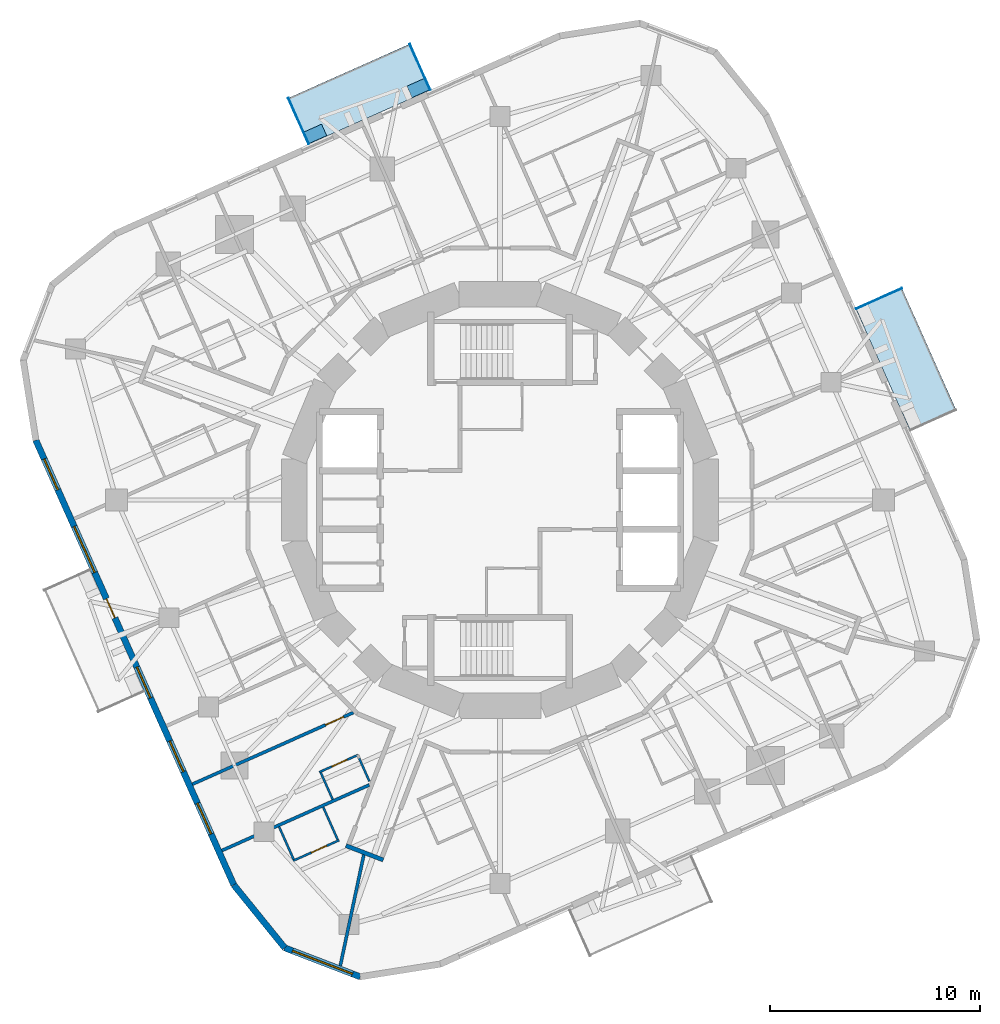
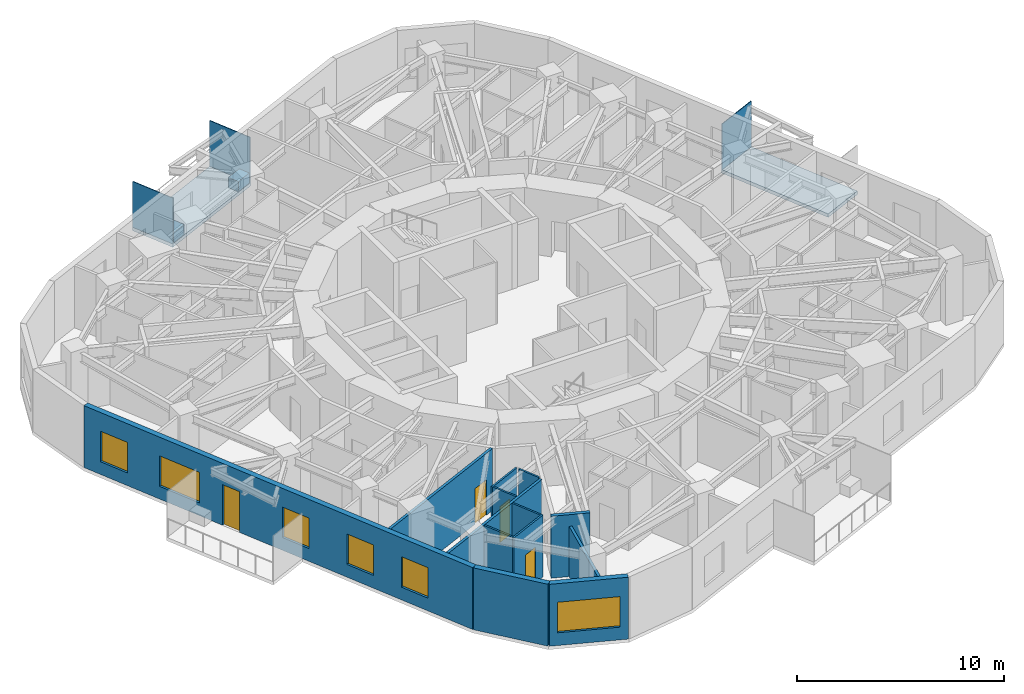
# One storey, part 4 of 12: 13 walls, 6 windows, 5 plates, 4 doors, 2 slabs, 10 openings.
"""IFC4 building model written with IfcOpenShell, lengths in metres."""

from ifc_helpers import new_model, si_unit, direction, frame, frame_2d, origin, origin_2d, place, context, subcontext, project, spatial, polyline, rectangle, outline, extrude, material, layer, layer_set, type_object, element, fill, save


model = new_model("IFC4")

# Units and contexts
model_context = context("Model", 3, precision=1e-05, world=origin(), true_north=direction((0.0, 1.0)))
body_context = subcontext(model_context, "Body", "Model", "MODEL_VIEW")
ifc_project = project(units=[si_unit("LENGTHUNIT", "METRE"), si_unit("AREAUNIT", "SQUARE_METRE"), si_unit("VOLUMEUNIT", "CUBIC_METRE"), si_unit("PLANEANGLEUNIT", "RADIAN"), si_unit("MASSUNIT", "GRAM", prefix="KILO")], contexts=[model_context])

# Site, building, storey
site_placement = place(None, origin())
site = spatial("IfcSite", under=ifc_project, at=site_placement, CompositionType="ELEMENT")
building_placement = place(site_placement, origin())
building = spatial("IfcBuilding", under=site, at=building_placement, Name="Nakasero Lantern House", CompositionType="ELEMENT")
storey_placement = place(building_placement, frame((0.0, 0.0, 190.14990234375)))
storey = spatial("IfcBuildingStorey", under=building, at=storey_placement, Name="L46", CompositionType="ELEMENT", Elevation=190.14990234375)

# Plates
ifc_material_1 = material(Name="Aluminium 6063-T6", Category="aluminium")
ifc_layer_1 = layer(ifc_material_1, 0.60009765625)
ifc_layer_set_1 = layer_set([ifc_layer_1], Name="Balcony planter 600x900")
plate_type_1 = type_object("IfcPlateType", Name="Balcony planter 600x900", PredefinedType="USERDEFINED", material=ifc_layer_set_1)
for number, where, z_axis, x_axis, name in (
    (1, (-3.90283203125, 19.629638671875, 0.0), (0.0, 0.0, 1.0), (-0.406736643076, 0.913545457643, 0.0), "Balcony PLANTER L46 BAL1A"),
    (2, (-8.791748046875, 17.452880859375, 0.0), (0.0, 0.0, 1.0), (-0.406736643076, 0.913545457643, 0.0), "Balcony PLANTER L46 BAL1B"),
):
    element("IfcPlate", number, at=place(storey_placement, frame(where, z_axis=z_axis, x_axis=x_axis)), inside=storey, type_object=plate_type_1, Name=name, ObjectType="PLANTER", PredefinedType="USERDEFINED", context=body_context, shape_type="SweptSolid", body=[
        extrude(rectangle(XDim=0.60009765625, YDim=0.89990234375, at=origin_2d()), origin(), (0.0, 0.0, 1.0), 0.60009765625),
    ])
ifc_material_2 = material(Name="Aluminium 6063-T6", Category="aluminium")
ifc_layer_2 = layer(ifc_material_2, 0.0400390625)
ifc_layer_set_2 = layer_set([ifc_layer_2], Name="Balcony screen 2400x2700")
plate_type_2 = type_object("IfcPlateType", Name="Balcony screen 2400x2700", PredefinedType="SHEET", material=ifc_layer_set_2)
for number, where, z_axis, x_axis, name in (
    (3, (18.0576171875, 9.59716796875, 0.0), (0.0, 0.0, 1.0), (0.913545457643, 0.406736643076, 0.0), "Balcony SCREEN L46 BAL0B"),
    (4, (-3.813232421875, 20.6328125, 0.0), (0.0, 0.0, 1.0), (-0.406736643076, 0.913545457643, 0.0), "Balcony SCREEN L46 BAL1A"),
    (5, (-9.59716796875, 18.0576171875, 0.0), (0.0, 0.0, 1.0), (-0.406736643076, 0.913545457643, 0.0), "Balcony SCREEN L46 BAL1B"),
):
    element("IfcPlate", number, at=place(storey_placement, frame(where, z_axis=z_axis, x_axis=x_axis)), inside=storey, type_object=plate_type_2, Name=name, PredefinedType="SHEET", context=body_context, shape_type="SweptSolid", body=[
        extrude(rectangle(XDim=2.39990234375, YDim=0.0400390625, at=origin_2d()), origin(), (0.0, 0.0, 1.0), 2.699951171875),
    ])

# Slabs
ifc_material_3 = material(Name="Concrete C35/45", Category="concrete")
ifc_layer_3 = layer(ifc_material_3, 0.199951171875)
ifc_layer_set_3 = layer_set([ifc_layer_3], Name="Balcony slab 200")
slab_type = type_object("IfcSlabType", Name="Balcony slab 200", PredefinedType="USERDEFINED", material=ifc_layer_set_3)
slab_1_placement = place(storey_placement, frame((0.0, 0.0, -0.199951171875)))
element("IfcSlab", 6, at=slab_1_placement, inside=storey, type_object=slab_type, Name="Balcony L46 BAL0", ObjectType="BALCONY", PredefinedType="USERDEFINED", context=body_context, shape_type="SweptSolid", body=[
    extrude(outline(polyline([(19.544677734375, 3.306884765625), (21.7373046875, 4.282958984375), (19.145751953125, 10.103515625), (16.953125, 9.12744140625), (19.544677734375, 3.306884765625)])), origin(), (0.0, 0.0, 1.0), 0.199951171875),
])
slab_2_placement = place(storey_placement, frame((0.0, 0.0, -0.199951171875)))
element("IfcSlab", 7, at=slab_2_placement, inside=storey, type_object=slab_type, Name="Balcony L46 BAL1", ObjectType="BALCONY", PredefinedType="USERDEFINED", context=body_context, shape_type="SweptSolid", body=[
    extrude(outline(polyline([(-3.306884765625, 19.544677734375), (-4.282958984375, 21.7373046875), (-10.103515625, 19.145751953125), (-9.12744140625, 16.953125), (-3.306884765625, 19.544677734375)])), origin(), (0.0, 0.0, 1.0), 0.199951171875),
])

# Wall
ifc_material_4 = material(Name="Blockwork", Category="masonry")
ifc_layer_4 = layer(ifc_material_4, 0.199951171875)
ifc_layer_set_4 = layer_set([ifc_layer_4], Name="Corridor wall 200")
wall_type_1 = type_object("IfcWallType", Name="Corridor wall 200", PredefinedType="PARTITIONING", material=ifc_layer_set_4)
wall_1_placement = place(storey_placement, frame((-7.34033203125, -16.47119140625, 0.0), z_axis=(0.0, 0.0, 1.0), x_axis=(0.933587135733, -0.3583504709, 0.0)))
element("IfcWall", 8, at=wall_1_placement, inside=storey, type_object=wall_type_1, Name="Corridor wall L46 SP2e", PredefinedType="PARTITIONING", context=body_context, shape_type="SweptSolid", body=[
    extrude(rectangle(XDim=1.900146484375, YDim=0.199951171875, at=frame_2d((0.9501953125, 0.0))), origin(), (0.0, 0.0, 1.0), 3.650146484375),
])

# Wall, opening, door
ifc_material_5 = material(Name="Blockwork", Category="masonry")
ifc_layer_5 = layer(ifc_material_5, 0.10009765625)
ifc_layer_set_5 = layer_set([ifc_layer_5], Name="En-suite wall 100")
wall_type_2 = type_object("IfcWallType", Name="En-suite wall 100", PredefinedType="PARTITIONING", material=ifc_layer_set_5)
wall_2_placement = place(storey_placement, frame((-6.78125, -12.153564453125, 0.0), z_axis=(0.0, 0.0, 1.0), x_axis=(-0.913529410294, -0.406772684097, 0.0)))
wall_2 = element("IfcWall", 9, at=wall_2_placement, inside=storey, type_object=wall_type_2, Name="En-suite wall L46 ES2-05", PredefinedType="PARTITIONING", context=body_context, shape_type="SweptSolid", body=[
    extrude(rectangle(XDim=1.999755859375, YDim=0.10009765625, at=frame_2d((1.0, 0.0))), origin(), (0.0, 0.0, 1.0), 3.650146484375),
])
opening_1_placement = place(wall_2_placement, frame((0.550048828125, 0.0, 0.0)))
opening_1 = element("IfcOpeningElement", 10, at=opening_1_placement, cuts=wall_2, Name="Opening D02", PredefinedType="OPENING", context=body_context, shape_type="SweptSolid", body=[
    extrude(rectangle(XDim=0.800048828125, YDim=2.10009765625, at=frame_2d((0.39990234375, 1.050048828125))), frame((0.0, 0.070068359375, 0.0), z_axis=(0.0, -1.0, 0.0), x_axis=(1.0, 0.0, 0.0)), (0.0, 0.0, 1.0), 0.14013671875),
])
ifc_material_6 = material(Name="Timber C24", Category="wood")
door_type_1 = type_object("IfcDoorType", Name="En-suite door 800", OperationType="SINGLE_SWING_RIGHT", PredefinedType="DOOR", material=ifc_material_6)
door_1_placement = place(opening_1_placement, origin())
door_1 = element("IfcDoor", 11, at=door_1_placement, inside=storey, type_object=door_type_1, Name="Door L46 DE2-05", OperationType="SINGLE_SWING_LEFT", OverallHeight=2.10009765625, OverallWidth=0.800048828125, PredefinedType="DOOR", context=body_context, shape_type="SweptSolid", body=[
    extrude(rectangle(XDim=0.800048828125, YDim=2.10009765625, at=frame_2d((0.39990234375, 1.050048828125))), frame((0.0, 0.02490234375, 0.0), z_axis=(0.0, -1.0, 0.0), x_axis=(1.0, 0.0, 0.0)), (0.0, 0.0, 1.0), 0.050048828125),
])
fill(opening_1, door_1)

# Wall
wall_3_placement = place(storey_placement, frame((-8.542236328125, -12.992431640625, 0.0), z_axis=(0.0, 0.0, 1.0), x_axis=(0.406866486472, -0.913487636581, 0.0)))
element("IfcWall", 12, at=wall_3_placement, inside=storey, type_object=wall_type_2, Name="En-suite wall L46 EE2-05", PredefinedType="PARTITIONING", context=body_context, shape_type="SweptSolid", body=[
    extrude(rectangle(XDim=1.39990234375, YDim=0.10009765625, at=frame_2d((0.699951171875, 0.0))), origin(), (0.0, 0.0, 1.0), 3.650146484375),
])

# Wall, opening, door
wall_4_placement = place(storey_placement, frame((-7.66748046875, -16.215087890625, 0.0), z_axis=(0.0, 0.0, 1.0), x_axis=(-0.913530294257, -0.40677069889, 0.0)))
wall_4 = element("IfcWall", 13, at=wall_4_placement, inside=storey, type_object=wall_type_2, Name="En-suite wall L46 ES2-06", PredefinedType="PARTITIONING", context=body_context, shape_type="SweptSolid", body=[
    extrude(rectangle(XDim=2.400146484375, YDim=0.10009765625, at=frame_2d((1.2001953125, 0.0))), origin(), (0.0, 0.0, 1.0), 3.650146484375),
])
opening_2_placement = place(wall_4_placement, frame((0.64990234375, 0.0, 0.0)))
opening_2 = element("IfcOpeningElement", 14, at=opening_2_placement, cuts=wall_4, Name="Opening D02", PredefinedType="OPENING", context=body_context, shape_type="SweptSolid", body=[
    extrude(rectangle(XDim=0.800048828125, YDim=2.10009765625, at=frame_2d((0.39990234375, 1.050048828125))), frame((0.0, 0.070068359375, 0.0), z_axis=(0.0, -1.0, 0.0), x_axis=(1.0, 0.0, 0.0)), (0.0, 0.0, 1.0), 0.14013671875),
])
door_2_placement = place(opening_2_placement, origin())
door_2 = element("IfcDoor", 15, at=door_2_placement, inside=storey, type_object=door_type_1, Name="Door L46 DE2-06", OperationType="SINGLE_SWING_LEFT", OverallHeight=2.10009765625, OverallWidth=0.800048828125, PredefinedType="DOOR", context=body_context, shape_type="SweptSolid", body=[
    extrude(rectangle(XDim=0.800048828125, YDim=2.10009765625, at=frame_2d((0.39990234375, 1.050048828125))), frame((0.0, 0.02490234375, 0.0), z_axis=(0.0, -1.0, 0.0), x_axis=(1.0, 0.0, 0.0)), (0.0, 0.0, 1.0), 0.050048828125),
])
fill(opening_2, door_2)

# Walls
wall_5_placement = place(storey_placement, frame((-10.526123046875, -15.572265625, 0.0), z_axis=(0.0, 0.0, 1.0), x_axis=(0.406724697108, -0.913550776237, 0.0)))
element("IfcWall", 16, at=wall_5_placement, inside=storey, type_object=wall_type_2, Name="En-suite wall L46 EE2-06", PredefinedType="PARTITIONING", context=body_context, shape_type="SweptSolid", body=[
    extrude(rectangle(XDim=1.699951171875, YDim=0.10009765625, at=frame_2d((0.85009765625, 0.0))), origin(), (0.0, 0.0, 1.0), 3.650146484375),
])
wall_6_placement = place(storey_placement, frame((-8.425048828125, -14.63671875, 0.0), z_axis=(0.0, 0.0, 1.0), x_axis=(0.406671340378, -0.91357452948, 0.0)))
element("IfcWall", 17, at=wall_6_placement, inside=storey, type_object=wall_type_2, Name="En-suite wall L46 EI2-06", PredefinedType="PARTITIONING", context=body_context, shape_type="SweptSolid", body=[
    extrude(rectangle(XDim=1.7001953125, YDim=0.10009765625, at=frame_2d((0.85009765625, 0.0))), origin(), (0.0, 0.0, 1.0), 3.650146484375),
])
wall_7_placement = place(storey_placement, frame((-6.225830078125, -13.400634765625, 0.0), z_axis=(0.0, 0.0, 1.0), x_axis=(-0.406739792336, 0.913544055495, 0.0)))
element("IfcWall", 18, at=wall_7_placement, inside=storey, type_object=wall_type_2, Name="En-suite wall L46 EX002", PredefinedType="PARTITIONING", context=body_context, shape_type="SweptSolid", body=[
    extrude(rectangle(XDim=1.205322265625, YDim=0.10009765625, at=frame_2d((0.6025390625, 0.0))), origin(), (0.0, 0.0, 1.0), 3.650146484375),
])

# Wall, openings, door, windows
ifc_material_7 = material(Name="Aluminium rainscreen on blockwork", Category="masonry")
ifc_layer_6 = layer(ifc_material_7, 0.300048828125)
ifc_layer_set_6 = layer_set([ifc_layer_6], Name="Facade wall 300")
wall_type_3 = type_object("IfcWallType", Name="Facade wall 300", PredefinedType="SOLIDWALL", material=ifc_layer_set_6)
wall_8_placement = place(storey_placement, frame((-22.12109375, 2.848876953125, 0.0), z_axis=(0.0, 0.0, 1.0), x_axis=(0.406734951338, -0.913546210851, 0.0)))
wall_8 = element("IfcWall", 19, at=wall_8_placement, inside=storey, type_object=wall_type_3, Name="Facade wall L46 FW2S", PredefinedType="SOLIDWALL", context=body_context, shape_type="SweptSolid", body=[
    extrude(rectangle(XDim=23.199951171875, YDim=0.300048828125, at=frame_2d((11.60009765625, 0.0))), origin(), (0.0, 0.0, 1.0), 3.650146484375),
])
opening_3_placement = place(wall_8_placement, frame((0.982421875, 0.0, 0.75)))
opening_3 = element("IfcOpeningElement", 20, at=opening_3_placement, cuts=wall_8, Name="Opening W01", PredefinedType="OPENING", context=body_context, shape_type="SweptSolid", body=[
    extrude(rectangle(XDim=1.60009765625, YDim=1.800048828125, at=frame_2d((0.800048828125, 0.89990234375))), frame((0.0, 0.169921875, 0.0), z_axis=(0.0, -1.0, 0.0), x_axis=(1.0, 0.0, 0.0)), (0.0, 0.0, 1.0), 0.340087890625),
])
opening_4_placement = place(wall_8_placement, frame((11.83984375, 0.0, 0.75)))
opening_4 = element("IfcOpeningElement", 21, at=opening_4_placement, cuts=wall_8, Name="Opening W01", PredefinedType="OPENING", context=body_context, shape_type="SweptSolid", body=[
    extrude(rectangle(XDim=1.60009765625, YDim=1.800048828125, at=frame_2d((0.800048828125, 0.89990234375))), frame((0.0, 0.169921875, 0.0), z_axis=(0.0, -1.0, 0.0), x_axis=(1.0, 0.0, 0.0)), (0.0, 0.0, 1.0), 0.340087890625),
])
opening_5_placement = place(wall_8_placement, frame((15.69140625, 0.0, 0.75)))
opening_5 = element("IfcOpeningElement", 22, at=opening_5_placement, cuts=wall_8, Name="Opening W01", PredefinedType="OPENING", context=body_context, shape_type="SweptSolid", body=[
    extrude(rectangle(XDim=1.60009765625, YDim=1.800048828125, at=frame_2d((0.800048828125, 0.89990234375))), frame((0.0, 0.169921875, 0.0), z_axis=(0.0, -1.0, 0.0), x_axis=(1.0, 0.0, 0.0)), (0.0, 0.0, 1.0), 0.340087890625),
])
opening_6_placement = place(wall_8_placement, frame((18.940185546875, 0.0, 0.75)))
opening_6 = element("IfcOpeningElement", 23, at=opening_6_placement, cuts=wall_8, Name="Opening W01", PredefinedType="OPENING", context=body_context, shape_type="SweptSolid", body=[
    extrude(rectangle(XDim=1.60009765625, YDim=1.800048828125, at=frame_2d((0.800048828125, 0.89990234375))), frame((0.0, 0.169921875, 0.0), z_axis=(0.0, -1.0, 0.0), x_axis=(1.0, 0.0, 0.0)), (0.0, 0.0, 1.0), 0.340087890625),
])
opening_7_placement = place(wall_8_placement, frame((4.500244140625, 0.0, 0.75)))
opening_7 = element("IfcOpeningElement", 24, at=opening_7_placement, cuts=wall_8, Name="Opening W03", PredefinedType="OPENING", context=body_context, shape_type="SweptSolid", body=[
    extrude(rectangle(XDim=2.39990234375, YDim=1.800048828125, at=frame_2d((1.199951171875, 0.89990234375))), frame((0.0, 0.169921875, 0.0), z_axis=(0.0, -1.0, 0.0), x_axis=(1.0, 0.0, 0.0)), (0.0, 0.0, 1.0), 0.340087890625),
])
opening_8_placement = place(wall_8_placement, frame((8.271484375, 0.0, 0.0)))
opening_8 = element("IfcOpeningElement", 25, at=opening_8_placement, cuts=wall_8, Name="Opening D04", PredefinedType="OPENING", context=body_context, shape_type="SweptSolid", body=[
    extrude(rectangle(XDim=1.0, YDim=2.39990234375, at=frame_2d((0.5, 1.199951171875))), frame((0.0, 0.169921875, 0.0), z_axis=(0.0, -1.0, 0.0), x_axis=(1.0, 0.0, 0.0)), (0.0, 0.0, 1.0), 0.340087890625),
])
ifc_material_8 = material(Name="Aluminium 6063-T6 and glass", Category="aluminium")
door_type_2 = type_object("IfcDoorType", Name="Balcony door 1000x2400", OperationType="SINGLE_SWING_RIGHT", PredefinedType="DOOR", material=ifc_material_8)
door_3_placement = place(opening_8_placement, origin())
door_3 = element("IfcDoor", 26, at=door_3_placement, inside=storey, type_object=door_type_2, Name="Balcony door L46 DB2", OperationType="SINGLE_SWING_RIGHT", OverallHeight=2.39990234375, OverallWidth=1.0, PredefinedType="DOOR", context=body_context, shape_type="SweptSolid", body=[
    extrude(rectangle(XDim=1.0, YDim=2.39990234375, at=frame_2d((0.5, 1.199951171875))), frame((0.0, 0.02490234375, 0.0), z_axis=(0.0, -1.0, 0.0), x_axis=(1.0, 0.0, 0.0)), (0.0, 0.0, 1.0), 0.050048828125),
])
fill(opening_8, door_3)
ifc_material_9 = material(Name="Aluminium 6063-T6 and glass", Category="aluminium")
window_type_1 = type_object("IfcWindowType", Name="Bedroom window 1600x1800", PartitioningType="SINGLE_PANEL", PredefinedType="WINDOW", material=ifc_material_9)
window_1_placement = place(opening_3_placement, origin())
window_1 = element("IfcWindow", 27, at=window_1_placement, inside=storey, type_object=window_type_1, Name="Window L46 WN2-00", OverallHeight=1.800048828125, OverallWidth=1.60009765625, PartitioningType="SINGLE_PANEL", PredefinedType="WINDOW", context=body_context, shape_type="SweptSolid", body=[
    extrude(rectangle(XDim=1.60009765625, YDim=1.800048828125, at=frame_2d((0.800048828125, 0.89990234375))), frame((0.0, 0.030029296875, 0.0), z_axis=(0.0, -1.0, 0.0), x_axis=(1.0, 0.0, 0.0)), (0.0, 0.0, 1.0), 0.06005859375),
])
fill(opening_3, window_1)
window_2_placement = place(opening_4_placement, origin())
window_2 = element("IfcWindow", 28, at=window_2_placement, inside=storey, type_object=window_type_1, Name="Window L46 WN2-03", OverallHeight=1.800048828125, OverallWidth=1.60009765625, PartitioningType="SINGLE_PANEL", PredefinedType="WINDOW", context=body_context, shape_type="SweptSolid", body=[
    extrude(rectangle(XDim=1.60009765625, YDim=1.800048828125, at=frame_2d((0.800048828125, 0.89990234375))), frame((0.0, 0.030029296875, 0.0), z_axis=(0.0, -1.0, 0.0), x_axis=(1.0, 0.0, 0.0)), (0.0, 0.0, 1.0), 0.06005859375),
])
fill(opening_4, window_2)
window_3_placement = place(opening_5_placement, origin())
window_3 = element("IfcWindow", 29, at=window_3_placement, inside=storey, type_object=window_type_1, Name="Window L46 WN2-04", OverallHeight=1.800048828125, OverallWidth=1.60009765625, PartitioningType="SINGLE_PANEL", PredefinedType="WINDOW", context=body_context, shape_type="SweptSolid", body=[
    extrude(rectangle(XDim=1.60009765625, YDim=1.800048828125, at=frame_2d((0.800048828125, 0.89990234375))), frame((0.0, 0.030029296875, 0.0), z_axis=(0.0, -1.0, 0.0), x_axis=(1.0, 0.0, 0.0)), (0.0, 0.0, 1.0), 0.06005859375),
])
fill(opening_5, window_3)
window_4_placement = place(opening_6_placement, origin())
window_4 = element("IfcWindow", 30, at=window_4_placement, inside=storey, type_object=window_type_1, Name="Window L46 WN2-05", OverallHeight=1.800048828125, OverallWidth=1.60009765625, PartitioningType="SINGLE_PANEL", PredefinedType="WINDOW", context=body_context, shape_type="SweptSolid", body=[
    extrude(rectangle(XDim=1.60009765625, YDim=1.800048828125, at=frame_2d((0.800048828125, 0.89990234375))), frame((0.0, 0.030029296875, 0.0), z_axis=(0.0, -1.0, 0.0), x_axis=(1.0, 0.0, 0.0)), (0.0, 0.0, 1.0), 0.06005859375),
])
fill(opening_6, window_4)
ifc_material_10 = material(Name="Aluminium 6063-T6 and glass", Category="aluminium")
window_type_2 = type_object("IfcWindowType", Name="Lounge window 2400x1800", PartitioningType="SINGLE_PANEL", PredefinedType="WINDOW", material=ifc_material_10)
window_5_placement = place(opening_7_placement, origin())
window_5 = element("IfcWindow", 31, at=window_5_placement, inside=storey, type_object=window_type_2, Name="Window L46 WK2", OverallHeight=1.800048828125, OverallWidth=2.39990234375, PartitioningType="SINGLE_PANEL", PredefinedType="WINDOW", context=body_context, shape_type="SweptSolid", body=[
    extrude(rectangle(XDim=2.39990234375, YDim=1.800048828125, at=frame_2d((1.199951171875, 0.89990234375))), frame((0.0, 0.030029296875, 0.0), z_axis=(0.0, -1.0, 0.0), x_axis=(1.0, 0.0, 0.0)), (0.0, 0.0, 1.0), 0.06005859375),
])
fill(opening_7, window_5)

# Wall
wall_9_placement = place(storey_placement, frame((-12.684814453125, -18.345458984375, 0.0), z_axis=(0.0, 0.0, 1.0), x_axis=(0.629285642335, -0.777174099125, 0.0)))
element("IfcWall", 32, at=wall_9_placement, inside=storey, type_object=wall_type_3, Name="Facade wall L46 FW2C1", PredefinedType="SOLIDWALL", context=body_context, shape_type="SweptSolid", body=[
    extrude(rectangle(XDim=3.8564453125, YDim=0.300048828125, at=frame_2d((1.92822265625, 0.0))), origin(), (0.0, 0.0, 1.0), 3.650146484375),
])

# Wall, opening, window
wall_10_placement = place(storey_placement, frame((-10.258056640625, -21.342529296875, 0.0), z_axis=(0.0, 0.0, 1.0), x_axis=(0.933598278948, -0.358321438858, 0.0)))
wall_10 = element("IfcWall", 33, at=wall_10_placement, inside=storey, type_object=wall_type_3, Name="Facade wall L46 FW2C2", PredefinedType="SOLIDWALL", context=body_context, shape_type="SweptSolid", body=[
    extrude(rectangle(XDim=3.8564453125, YDim=0.300048828125, at=frame_2d((1.92822265625, 0.0))), origin(), (0.0, 0.0, 1.0), 3.650146484375),
])
opening_9_placement = place(wall_10_placement, frame((0.39990234375, 0.0, 0.75)))
opening_9 = element("IfcOpeningElement", 34, at=opening_9_placement, cuts=wall_10, Name="Opening W230", PredefinedType="OPENING", context=body_context, shape_type="SweptSolid", body=[
    extrude(rectangle(XDim=3.055908203125, YDim=1.800048828125, at=frame_2d((1.52783203125, 0.89990234375))), frame((0.0, 0.169921875, 0.0), z_axis=(0.0, -1.0, 0.0), x_axis=(1.0, 0.0, 0.0)), (0.0, 0.0, 1.0), 0.340087890625),
])
ifc_material_11 = material(Name="Aluminium 6063-T6 and glass", Category="aluminium")
window_type_3 = type_object("IfcWindowType", Name="Corner window 3056x1800", PartitioningType="SINGLE_PANEL", PredefinedType="WINDOW", material=ifc_material_11)
window_6_placement = place(opening_9_placement, origin())
window_6 = element("IfcWindow", 35, at=window_6_placement, inside=storey, type_object=window_type_3, Name="Window L46 WC2", OverallHeight=1.800048828125, OverallWidth=3.055908203125, PartitioningType="SINGLE_PANEL", PredefinedType="WINDOW", context=body_context, shape_type="SweptSolid", body=[
    extrude(rectangle(XDim=3.055908203125, YDim=1.800048828125, at=frame_2d((1.52783203125, 0.89990234375))), frame((0.0, 0.030029296875, 0.0), z_axis=(0.0, -1.0, 0.0), x_axis=(1.0, 0.0, 0.0)), (0.0, 0.0, 1.0), 0.06005859375),
])
fill(opening_9, window_6)

# Wall, opening, door
ifc_material_12 = material(Name="Blockwork", Category="masonry")
ifc_layer_7 = layer(ifc_material_12, 0.14990234375)
ifc_layer_set_7 = layer_set([ifc_layer_7], Name="Party wall 150")
wall_type_4 = type_object("IfcWallType", Name="Party wall 150", PredefinedType="PARTITIONING", material=ifc_layer_set_7)
wall_11_placement = place(storey_placement, frame((-6.99267578125, -10.130615234375, 0.0), z_axis=(0.0, 0.0, 1.0), x_axis=(-0.913547411288, -0.406732255089, 0.0)))
wall_11 = element("IfcWall", 36, at=wall_11_placement, inside=storey, type_object=wall_type_4, Name="Party wall L46 PW2-05", PredefinedType="PARTITIONING", context=body_context, shape_type="SweptSolid", body=[
    extrude(rectangle(XDim=8.3916015625, YDim=0.14990234375, at=frame_2d((4.19580078125, 0.0))), origin(), (0.0, 0.0, 1.0), 3.650146484375),
])
opening_10_placement = place(wall_11_placement, frame((0.5, 0.0, 0.0)))
opening_10 = element("IfcOpeningElement", 37, at=opening_10_placement, cuts=wall_11, Name="Opening D01", PredefinedType="OPENING", context=body_context, shape_type="SweptSolid", body=[
    extrude(rectangle(XDim=0.949951171875, YDim=2.10009765625, at=frame_2d((0.47509765625, 1.050048828125))), frame((0.0, 0.094970703125, 0.0), z_axis=(0.0, -1.0, 0.0), x_axis=(1.0, 0.0, 0.0)), (0.0, 0.0, 1.0), 0.18994140625),
])
ifc_material_13 = material(Name="Timber C24", Category="wood")
door_type_3 = type_object("IfcDoorType", Name="Bedroom door FD30S 950", OperationType="SINGLE_SWING_LEFT", PredefinedType="DOOR", material=ifc_material_13)
door_4_placement = place(opening_10_placement, origin())
door_4 = element("IfcDoor", 38, at=door_4_placement, inside=storey, type_object=door_type_3, Name="Door L46 DS2-05", OperationType="SINGLE_SWING_LEFT", OverallHeight=2.10009765625, OverallWidth=0.949951171875, PredefinedType="DOOR", context=body_context, shape_type="SweptSolid", body=[
    extrude(rectangle(XDim=0.949951171875, YDim=2.10009765625, at=frame_2d((0.47509765625, 1.050048828125))), frame((0.0, 0.02490234375, 0.0), z_axis=(0.0, -1.0, 0.0), x_axis=(1.0, 0.0, 0.0)), (0.0, 0.0, 1.0), 0.050048828125),
])
fill(opening_10, door_4)

# Walls
wall_12_placement = place(storey_placement, frame((-6.2294921875, -13.5771484375, 0.0), z_axis=(0.0, 0.0, 1.0), x_axis=(-0.913546787387, -0.406733656408, 0.0)))
element("IfcWall", 39, at=wall_12_placement, inside=storey, type_object=wall_type_4, Name="Party wall L46 PW2-06", PredefinedType="PARTITIONING", context=body_context, shape_type="SweptSolid", body=[
    extrude(rectangle(XDim=7.686767578125, YDim=0.14990234375, at=frame_2d((3.84326171875, 0.0))), origin(), (0.0, 0.0, 1.0), 3.650146484375),
])
wall_13_placement = place(storey_placement, frame((-6.4892578125, -16.905029296875, 0.0), z_axis=(0.0, 0.0, 1.0), x_axis=(-0.207273681618, -0.97828299633, 0.0)))
element("IfcWall", 40, at=wall_13_placement, inside=storey, type_object=wall_type_4, Name="Party wall L46 PW3-00", PredefinedType="PARTITIONING", context=body_context, shape_type="SweptSolid", body=[
    extrude(rectangle(XDim=5.4052734375, YDim=0.14990234375, at=frame_2d((2.70263671875, 0.0))), origin(), (0.0, 0.0, 1.0), 2.966552734375),
])

save(model, "model.ifc")
